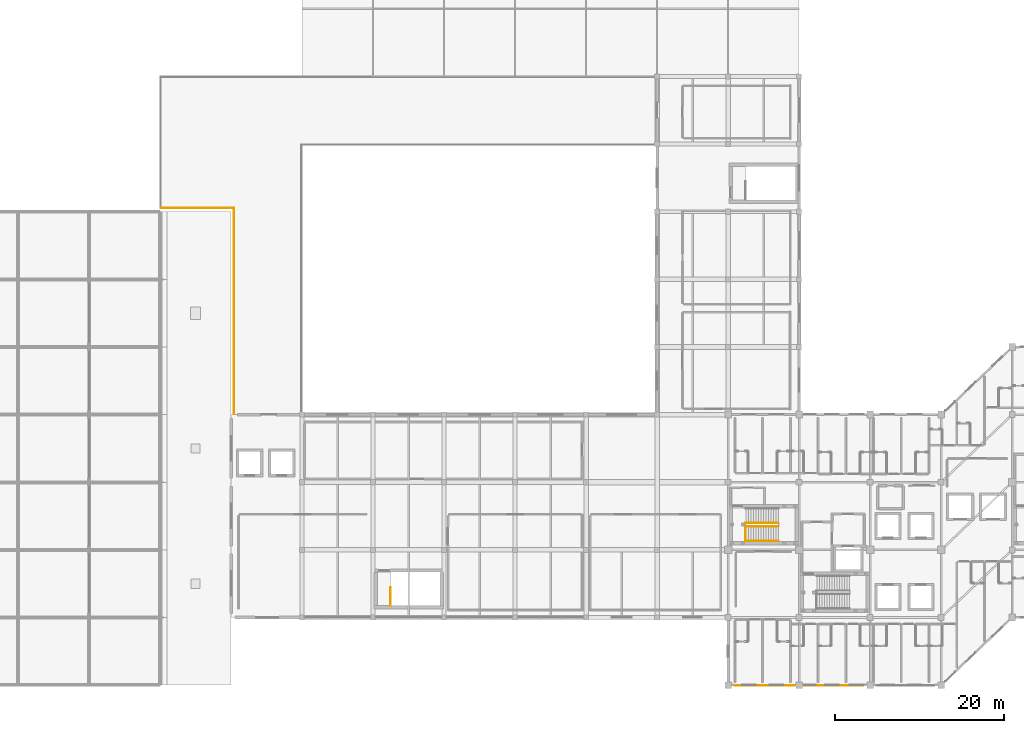
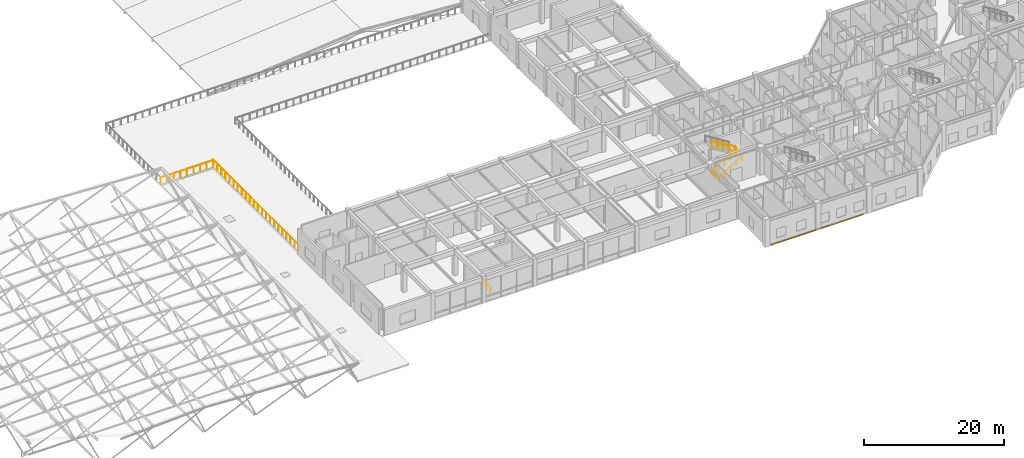
# One storey, part 34 of 37: 7 railings, 1 covering.
"""IFC4 building model written with IfcOpenShell, lengths in metres."""

from ifc_helpers import new_model, si_unit, direction, frame, origin, origin_2d, place, context, subcontext, project, spatial, rectangle, circle, extrude, material, layer, layer_set, type_object, element, save


model = new_model("IFC4")

# Units and contexts
model_context = context("Model", 3, precision=1e-05, world=origin(), true_north=direction((0.0, 1.0)))
body_context = subcontext(model_context, "Body", "Model", "MODEL_VIEW")
ifc_project = project(units=[si_unit("LENGTHUNIT", "METRE"), si_unit("AREAUNIT", "SQUARE_METRE"), si_unit("VOLUMEUNIT", "CUBIC_METRE"), si_unit("PLANEANGLEUNIT", "RADIAN"), si_unit("MASSUNIT", "GRAM", prefix="KILO")], contexts=[model_context])

# Site, building, storey
site_placement = place(None, origin())
site = spatial("IfcSite", under=ifc_project, at=site_placement, CompositionType="ELEMENT")
building_placement = place(site_placement, origin())
building = spatial("IfcBuilding", under=site, at=building_placement, Name="Naruveol Harbour Congress Hotel", CompositionType="ELEMENT")
storey_placement = place(building_placement, frame((0.0, 0.0, 16.199951171875)))
storey = spatial("IfcBuildingStorey", under=building, at=storey_placement, Name="L03", CompositionType="ELEMENT", Elevation=16.199951171875)

# Covering
ifc_material_1 = material(Name="Precast concrete C40/50", Category="concrete")
ifc_layer_1 = layer(ifc_material_1, 0.044921875)
ifc_layer_set_1 = layer_set([ifc_layer_1], Name="Precast concrete C40/50")
covering_type = type_object("IfcCoveringType", Name="HONED INCHEON GRANITE SPANDREL CLADDING 45", PredefinedType="CLADDING", material=ifc_layer_set_1)
covering_placement = place(storey_placement, frame((126.0, -0.02001953125, -0.25), z_axis=(0.0, 0.0, 1.0), x_axis=(1.0, 0.0, 0.0)))
element("IfcCovering", 1, at=covering_placement, inside=storey, type_object=covering_type, Name="Granite spandrel fascia cladding #11", PredefinedType="CLADDING", context=body_context, shape_type="SweptSolid", body=[
    extrude(rectangle(XDim=15.199951171875, YDim=0.044921875, at=origin_2d()), origin(), (0.0, 0.0, 1.0), 0.280029296875),
])

# Railings
ifc_material_2 = material(Name="Tempered Laminated Safety Glass & Stainless Steel", Category="steel")
ifc_layer_2 = layer(ifc_material_2, 0.06005859375)
ifc_layer_set_2 = layer_set([ifc_layer_2], Name="Tempered Laminated Safety Glass & Stainless Steel")
railing_type_1 = type_object("IfcRailingType", Name="LAMINATED GLASS TERRACE BALUSTRADE 1150", PredefinedType="BALUSTRADE", material=ifc_layer_set_2)
railing_1_placement = place(storey_placement, frame((59.159912109375, 32.080078125, 0.0)))
element("IfcRailing", 2, at=railing_1_placement, inside=storey, type_object=railing_type_1, Name="L03 Public Harbour Roof Terrace outer balustrade #62", PredefinedType="BALUSTRADE", context=body_context, shape_type="SweptSolid", body=[
    extrude(circle(Radius=0.02392578125, at=origin_2d()), frame((0.0, 0.0, 1.1259765625), z_axis=(0.0, 1.0, 0.0), x_axis=(-1.0, 0.0, 0.0)), (0.0, 0.0, 1.0), 24.33984375),
    extrude(circle(Radius=0.02099609375, at=origin_2d()), origin(), (0.0, 0.0, 1.0), 1.101806640625),
    extrude(circle(Radius=0.02099609375, at=origin_2d()), frame((0.0, 1.158935546875, 0.0)), (0.0, 0.0, 1.0), 1.101806640625),
    extrude(circle(Radius=0.02099609375, at=origin_2d()), frame((0.0, 2.318115234375, 0.0)), (0.0, 0.0, 1.0), 1.101806640625),
    extrude(circle(Radius=0.02099609375, at=origin_2d()), frame((0.0, 3.47705078125, 0.0)), (0.0, 0.0, 1.0), 1.101806640625),
    extrude(circle(Radius=0.02099609375, at=origin_2d()), frame((0.0, 4.63623046875, 0.0)), (0.0, 0.0, 1.0), 1.101806640625),
    extrude(circle(Radius=0.02099609375, at=origin_2d()), frame((0.0, 5.795166015625, 0.0)), (0.0, 0.0, 1.0), 1.101806640625),
    extrude(circle(Radius=0.02099609375, at=origin_2d()), frame((0.0, 6.954345703125, 0.0)), (0.0, 0.0, 1.0), 1.101806640625),
    extrude(circle(Radius=0.02099609375, at=origin_2d()), frame((0.0, 8.11328125, 0.0)), (0.0, 0.0, 1.0), 1.101806640625),
    extrude(circle(Radius=0.02099609375, at=origin_2d()), frame((0.0, 9.272216796875, 0.0)), (0.0, 0.0, 1.0), 1.101806640625),
    extrude(circle(Radius=0.02099609375, at=origin_2d()), frame((0.0, 10.431396484375, 0.0)), (0.0, 0.0, 1.0), 1.101806640625),
    extrude(circle(Radius=0.02099609375, at=origin_2d()), frame((0.0, 11.59033203125, 0.0)), (0.0, 0.0, 1.0), 1.101806640625),
    extrude(circle(Radius=0.02099609375, at=origin_2d()), frame((0.0, 12.74951171875, 0.0)), (0.0, 0.0, 1.0), 1.101806640625),
    extrude(circle(Radius=0.02099609375, at=origin_2d()), frame((0.0, 13.908447265625, 0.0)), (0.0, 0.0, 1.0), 1.101806640625),
    extrude(circle(Radius=0.02099609375, at=origin_2d()), frame((0.0, 15.067626953125, 0.0)), (0.0, 0.0, 1.0), 1.101806640625),
    extrude(circle(Radius=0.02099609375, at=origin_2d()), frame((0.0, 16.2265625, 0.0)), (0.0, 0.0, 1.0), 1.101806640625),
    extrude(circle(Radius=0.02099609375, at=origin_2d()), frame((0.0, 17.385498046875, 0.0)), (0.0, 0.0, 1.0), 1.101806640625),
    extrude(circle(Radius=0.02099609375, at=origin_2d()), frame((0.0, 18.544677734375, 0.0)), (0.0, 0.0, 1.0), 1.101806640625),
    extrude(circle(Radius=0.02099609375, at=origin_2d()), frame((0.0, 19.70361328125, 0.0)), (0.0, 0.0, 1.0), 1.101806640625),
    extrude(circle(Radius=0.02099609375, at=origin_2d()), frame((0.0, 20.86279296875, 0.0)), (0.0, 0.0, 1.0), 1.101806640625),
    extrude(circle(Radius=0.02099609375, at=origin_2d()), frame((0.0, 22.021728515625, 0.0)), (0.0, 0.0, 1.0), 1.101806640625),
    extrude(circle(Radius=0.02099609375, at=origin_2d()), frame((0.0, 23.180908203125, 0.0)), (0.0, 0.0, 1.0), 1.101806640625),
    extrude(circle(Radius=0.02099609375, at=origin_2d()), frame((0.0, 24.33984375, 0.0)), (0.0, 0.0, 1.0), 1.101806640625),
])
railing_2_placement = place(storey_placement, frame((59.159912109375, 56.419921875, 0.0)))
element("IfcRailing", 3, at=railing_2_placement, inside=storey, type_object=railing_type_1, Name="L03 Public Harbour Roof Terrace outer balustrade #63", PredefinedType="BALUSTRADE", context=body_context, shape_type="SweptSolid", body=[
    extrude(circle(Radius=0.02392578125, at=origin_2d()), frame((0.0, 0.0, 1.1259765625), z_axis=(-1.0, 0.0, 0.0), x_axis=(0.0, -1.0, 0.0)), (0.0, 0.0, 1.0), 8.679931640625),
    extrude(circle(Radius=0.02099609375, at=origin_2d()), origin(), (0.0, 0.0, 1.0), 1.101806640625),
    extrude(circle(Radius=0.02099609375, at=origin_2d()), frame((-1.0849609375, 0.0, 0.0)), (0.0, 0.0, 1.0), 1.101806640625),
    extrude(circle(Radius=0.02099609375, at=origin_2d()), frame((-2.169921875, 0.0, 0.0)), (0.0, 0.0, 1.0), 1.101806640625),
    extrude(circle(Radius=0.02099609375, at=origin_2d()), frame((-3.2548828125, 0.0, 0.0)), (0.0, 0.0, 1.0), 1.101806640625),
    extrude(circle(Radius=0.02099609375, at=origin_2d()), frame((-4.33984375, 0.0, 0.0)), (0.0, 0.0, 1.0), 1.101806640625),
    extrude(circle(Radius=0.02099609375, at=origin_2d()), frame((-5.425048828125, 0.0, 0.0)), (0.0, 0.0, 1.0), 1.101806640625),
    extrude(circle(Radius=0.02099609375, at=origin_2d()), frame((-6.510009765625, 0.0, 0.0)), (0.0, 0.0, 1.0), 1.101806640625),
    extrude(circle(Radius=0.02099609375, at=origin_2d()), frame((-7.594970703125, 0.0, 0.0)), (0.0, 0.0, 1.0), 1.101806640625),
    extrude(circle(Radius=0.02099609375, at=origin_2d()), frame((-8.679931640625, 0.0, 0.0)), (0.0, 0.0, 1.0), 1.101806640625),
])
ifc_material_3 = material(Name="Stainless Steel 304", Category="steel")
ifc_layer_3 = layer(ifc_material_3, 0.0419921875)
ifc_layer_set_3 = layer_set([ifc_layer_3], Name="Stainless Steel 304")
railing_type_2 = type_object("IfcRailingType", Name="STAIR WALL MOUNTED HANDRAIL 900", PredefinedType="HANDRAIL", material=ifc_layer_set_3)
railing_3_placement = place(storey_placement, frame((119.699951171875, 17.06005859375, 0.0)))
element("IfcRailing", 4, at=railing_3_placement, inside=storey, type_object=railing_type_2, Name="Stair ST3 L03 lower wall handrail", PredefinedType="HANDRAIL", context=body_context, shape_type="SweptSolid", body=[
    extrude(circle(Radius=0.02392578125, at=origin_2d()), frame((0.0, 0.0, 0.8759765625), z_axis=(0.847670718537, 0.0, 0.530522716701), x_axis=(0.0, 1.0, 0.0)), (0.0, 0.0, 1.0), 4.524169921875),
    extrude(circle(Radius=0.02099609375, at=origin_2d()), origin(), (0.0, 0.0, 1.0), 0.851806640625),
    extrude(circle(Radius=0.02099609375, at=origin_2d()), frame((0.958740234375, 0.0, 0.60009765625)), (0.0, 0.0, 1.0), 0.851806640625),
    extrude(circle(Radius=0.02099609375, at=origin_2d()), frame((1.91748046875, 0.0, 1.2001953125)), (0.0, 0.0, 1.0), 0.851806640625),
    extrude(circle(Radius=0.02099609375, at=origin_2d()), frame((2.876220703125, 0.0, 1.800048828125)), (0.0, 0.0, 1.0), 0.851806640625),
    extrude(circle(Radius=0.02099609375, at=origin_2d()), frame((3.8349609375, 0.0, 2.400146484375)), (0.0, 0.0, 1.0), 0.851806640625),
])
ifc_material_4 = material(Name="Steel SN490", Category="steel")
ifc_layer_4 = layer(ifc_material_4, 0.044921875)
ifc_layer_set_4 = layer_set([ifc_layer_4], Name="Steel SN490")
railing_type_3 = type_object("IfcRailingType", Name="STAIRWELL STEEL GUARDRAIL 1150", PredefinedType="GUARDRAIL", material=ifc_layer_set_4)
railing_4_placement = place(storey_placement, frame((119.699951171875, 18.7900390625, 0.0)))
element("IfcRailing", 5, at=railing_4_placement, inside=storey, type_object=railing_type_3, Name="Stair ST3 L03 lower well guard", PredefinedType="GUARDRAIL", context=body_context, shape_type="SweptSolid", body=[
    extrude(circle(Radius=0.02392578125, at=origin_2d()), frame((0.0, 0.0, 1.1259765625), z_axis=(0.847670718537, 0.0, 0.530522716701), x_axis=(0.0, 1.0, 0.0)), (0.0, 0.0, 1.0), 4.524169921875),
    extrude(circle(Radius=0.02099609375, at=origin_2d()), origin(), (0.0, 0.0, 1.0), 1.101806640625),
    extrude(circle(Radius=0.02099609375, at=origin_2d()), frame((0.958740234375, 0.0, 0.60009765625)), (0.0, 0.0, 1.0), 1.101806640625),
    extrude(circle(Radius=0.02099609375, at=origin_2d()), frame((1.91748046875, 0.0, 1.2001953125)), (0.0, 0.0, 1.0), 1.101806640625),
    extrude(circle(Radius=0.02099609375, at=origin_2d()), frame((2.876220703125, 0.0, 1.800048828125)), (0.0, 0.0, 1.0), 1.101806640625),
    extrude(circle(Radius=0.02099609375, at=origin_2d()), frame((3.8349609375, 0.0, 2.400146484375)), (0.0, 0.0, 1.0), 1.101806640625),
])
railing_5_placement = place(storey_placement, frame((123.534912109375, 19.169921875, 2.400146484375)))
element("IfcRailing", 6, at=railing_5_placement, inside=storey, type_object=railing_type_3, Name="Stair ST3 L03 upper well guard", PredefinedType="GUARDRAIL", context=body_context, shape_type="SweptSolid", body=[
    extrude(circle(Radius=0.02392578125, at=origin_2d()), frame((0.0, 0.0, 1.1259765625), z_axis=(-0.847694986538, 0.0, 0.530483939246), x_axis=(0.0, -1.0, 0.0)), (0.0, 0.0, 1.0), 4.52392578125),
    extrude(circle(Radius=0.02099609375, at=origin_2d()), origin(), (0.0, 0.0, 1.0), 1.101806640625),
    extrude(circle(Radius=0.02099609375, at=origin_2d()), frame((-0.958740234375, 0.0, 0.60009765625)), (0.0, 0.0, 1.0), 1.101806640625),
    extrude(circle(Radius=0.02099609375, at=origin_2d()), frame((-1.91748046875, 0.0, 1.199951171875)), (0.0, 0.0, 1.0), 1.101806640625),
    extrude(circle(Radius=0.02099609375, at=origin_2d()), frame((-2.876220703125, 0.0, 1.7998046875)), (0.0, 0.0, 1.0), 1.101806640625),
    extrude(circle(Radius=0.02099609375, at=origin_2d()), frame((-3.8349609375, 0.0, 2.39990234375)), (0.0, 0.0, 1.0), 1.101806640625),
])
railing_6_placement = place(storey_placement, frame((119.659912109375, 17.02001953125, 0.0)))
element("IfcRailing", 7, at=railing_6_placement, inside=storey, type_object=railing_type_3, Name="Stair ST3 L03 landing well guard", PredefinedType="GUARDRAIL", context=body_context, shape_type="SweptSolid", body=[
    extrude(circle(Radius=0.02392578125, at=origin_2d()), frame((0.0, 0.0, 1.1259765625), z_axis=(0.0, 1.0, 0.0), x_axis=(-1.0, 0.0, 0.0)), (0.0, 0.0, 1.0), 2.14990234375),
    extrude(circle(Radius=0.02099609375, at=origin_2d()), origin(), (0.0, 0.0, 1.0), 1.101806640625),
    extrude(circle(Radius=0.02099609375, at=origin_2d()), frame((0.0, 1.074951171875, 0.0)), (0.0, 0.0, 1.0), 1.101806640625),
    extrude(circle(Radius=0.02099609375, at=origin_2d()), frame((0.0, 2.14990234375, 0.0)), (0.0, 0.0, 1.0), 1.101806640625),
])
railing_7_placement = place(storey_placement, frame((77.659912109375, 9.419921875, 0.0)))
element("IfcRailing", 8, at=railing_7_placement, inside=storey, type_object=railing_type_3, Name="Stair ST10 L03 top-floor well guard", PredefinedType="GUARDRAIL", context=body_context, shape_type="SweptSolid", body=[
    extrude(circle(Radius=0.02392578125, at=origin_2d()), frame((0.0, 0.0, 1.1259765625), z_axis=(0.0, 1.0, 0.0), x_axis=(-1.0, 0.0, 0.0)), (0.0, 0.0, 1.0), 2.150146484375),
    extrude(circle(Radius=0.02099609375, at=origin_2d()), origin(), (0.0, 0.0, 1.0), 1.101806640625),
    extrude(circle(Radius=0.02099609375, at=origin_2d()), frame((0.0, 1.0751953125, 0.0)), (0.0, 0.0, 1.0), 1.101806640625),
    extrude(circle(Radius=0.02099609375, at=origin_2d()), frame((0.0, 2.150146484375, 0.0)), (0.0, 0.0, 1.0), 1.101806640625),
])

save(model, "model.ifc")
